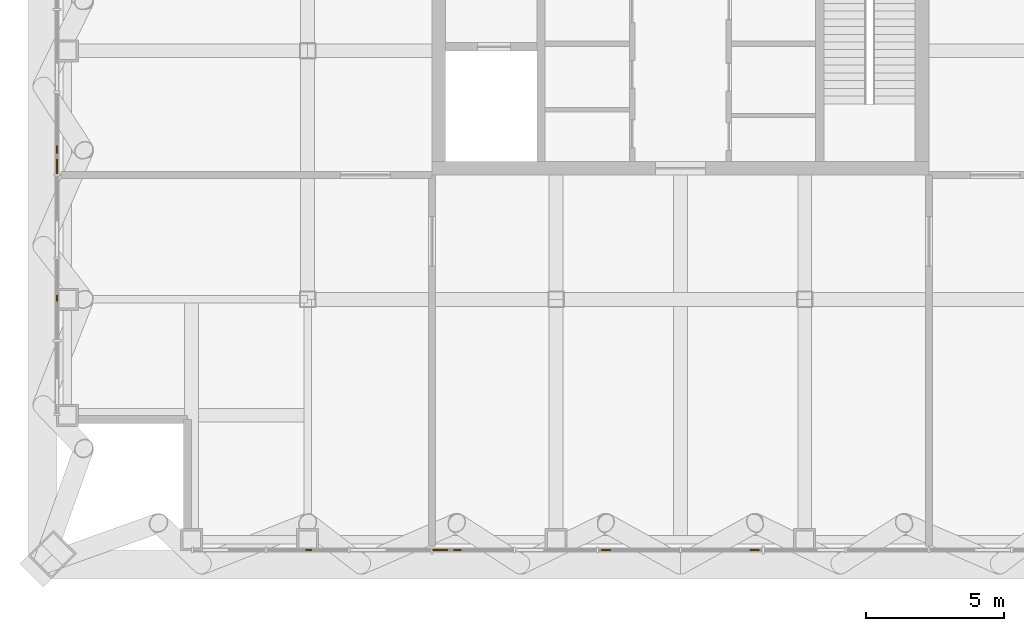
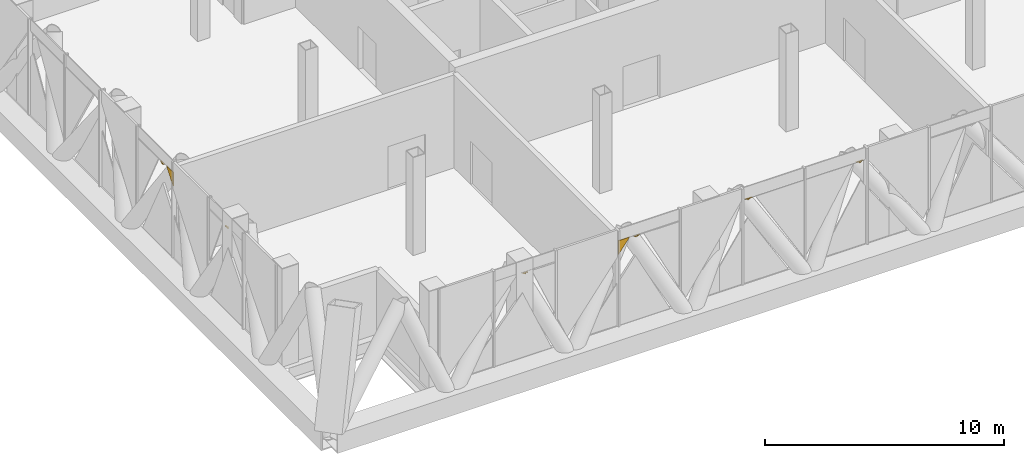
# One storey, part 20 of 27: 8 coverings.
"""IFC4 building model written with IfcOpenShell, lengths in metres."""

from ifc_helpers import new_model, si_unit, direction, frame, origin, place, context, subcontext, project, spatial, polyline, outline, extrude, material, layer, layer_set, type_object, element, save


model = new_model("IFC4")

# Units and contexts
model_context = context("Model", 3, precision=1e-05, world=origin(), true_north=direction((0.0, 1.0)))
body_context = subcontext(model_context, "Body", "Model", "MODEL_VIEW")
ifc_project = project(units=[si_unit("LENGTHUNIT", "METRE"), si_unit("AREAUNIT", "SQUARE_METRE"), si_unit("VOLUMEUNIT", "CUBIC_METRE"), si_unit("PLANEANGLEUNIT", "RADIAN"), si_unit("MASSUNIT", "GRAM", prefix="KILO")], contexts=[model_context])

# Site, building, storey
site_placement = place(None, origin())
site = spatial("IfcSite", under=ifc_project, at=site_placement, CompositionType="ELEMENT")
building_placement = place(site_placement, origin())
building = spatial("IfcBuilding", under=site, at=building_placement, Name="Malebo Sky Hospital", CompositionType="ELEMENT")
storey_placement = place(building_placement, frame((0.0, 0.0, 245.0)))
storey = spatial("IfcBuildingStorey", under=building, at=storey_placement, Name="L59", CompositionType="ELEMENT", Elevation=245.0)

# Coverings
ifc_material = material(Name="Anodised aluminium, natural silver insulated infill panel", Category="aluminium")
ifc_layer = layer(ifc_material, 0.0400390625)
ifc_layer_set = layer_set([ifc_layer], Name="BRACE INFILL PANEL 40")
covering_type = type_object("IfcCoveringType", Name="BRACE INFILL PANEL 40", PredefinedType="CLADDING", material=ifc_layer_set)
covering_1_placement = place(storey_placement, frame((37.425048828125, 48.5390625, 4.29150390625), z_axis=(0.0, 0.0, 1.0), x_axis=(0.0, 1.0, 0.0)))
element("IfcCovering", 1, at=covering_1_placement, inside=storey, type_object=covering_type, Name="Brace infill panel 2.4", PredefinedType="CLADDING", context=body_context, shape_type="SweptSolid", body=[
    extrude(outline(polyline([(-0.031005859375, 0.0), (0.114501953125, 0.052978515625), (-0.114501953125, 0.052978515625), (-0.031005859375, 0.0)])), frame((0.0, 0.02001953125, 0.0), z_axis=(0.0, -1.0, 0.0), x_axis=(1.0, 0.0, 0.0)), (0.0, 0.0, 1.0), 0.0400390625),
])
covering_2_placement = place(storey_placement, frame((37.425048828125, 53.307373046875, 3.68994140625), z_axis=(0.0, 0.0, 1.0), x_axis=(0.0, 1.0, 0.0)))
element("IfcCovering", 2, at=covering_2_placement, inside=storey, type_object=covering_type, Name="Brace infill panel 4.2", PredefinedType="CLADDING", context=body_context, shape_type="SweptSolid", body=[
    extrude(outline(polyline([(-0.27001953125, 0.0), (0.27001953125, 0.7119140625), (-0.27001953125, 0.7119140625), (-0.27001953125, 0.0)])), frame((0.0, 0.02001953125, 0.0), z_axis=(0.0, -1.0, 0.0), x_axis=(1.0, 0.0, 0.0)), (0.0, 0.0, 1.0), 0.0400390625),
])
covering_3_placement = place(storey_placement, frame((37.425048828125, 53.928466796875, 4.2919921875), z_axis=(0.0, 0.0, 1.0), x_axis=(0.0, 1.0, 0.0)))
element("IfcCovering", 3, at=covering_3_placement, inside=storey, type_object=covering_type, Name="Brace infill panel 4.4", PredefinedType="CLADDING", context=body_context, shape_type="SweptSolid", body=[
    extrude(outline(polyline([(-0.0234375, 0.0), (0.141845703125, 0.068115234375), (-0.141845703125, 0.068115234375), (-0.0234375, 0.0)])), frame((0.0, 0.02001953125, 0.0), z_axis=(0.0, -1.0, 0.0), x_axis=(1.0, 0.0, 0.0)), (0.0, 0.0, 1.0), 0.0400390625),
])
covering_4_placement = place(storey_placement, frame((62.688720703125, 39.425048828125, 4.29248046875), z_axis=(0.0, 0.0, 1.0), x_axis=(-1.0, 0.0, 0.0)))
element("IfcCovering", 4, at=covering_4_placement, inside=storey, type_object=covering_type, Name="Brace infill panel 6.3", PredefinedType="CLADDING", context=body_context, shape_type="SweptSolid", body=[
    extrude(outline(polyline([(-0.009521484375, 0.0), (0.168701171875, 0.082763671875), (-0.168701171875, 0.082763671875), (-0.009521484375, 0.0)])), frame((0.0, 0.02001953125, 0.0), z_axis=(0.0, -1.0, 0.0), x_axis=(1.0, 0.0, 0.0)), (0.0, 0.0, 1.0), 0.0400390625),
])
covering_5_placement = place(storey_placement, frame((57.311279296875, 39.425048828125, 4.29248046875), z_axis=(0.0, 0.0, 1.0), x_axis=(-1.0, 0.0, 0.0)))
element("IfcCovering", 5, at=covering_5_placement, inside=storey, type_object=covering_type, Name="Brace infill panel 7.3", PredefinedType="CLADDING", context=body_context, shape_type="SweptSolid", body=[
    extrude(outline(polyline([(0.009521484375, 0.0), (0.168701171875, 0.082763671875), (-0.168701171875, 0.082763671875), (0.009521484375, 0.0)])), frame((0.0, 0.02001953125, 0.0), z_axis=(0.0, -1.0, 0.0), x_axis=(1.0, 0.0, 0.0)), (0.0, 0.0, 1.0), 0.0400390625),
])
covering_6_placement = place(storey_placement, frame((51.307373046875, 39.425048828125, 3.68994140625), z_axis=(0.0, 0.0, 1.0), x_axis=(-1.0, 0.0, 0.0)))
element("IfcCovering", 6, at=covering_6_placement, inside=storey, type_object=covering_type, Name="Brace infill panel 9.2", PredefinedType="CLADDING", context=body_context, shape_type="SweptSolid", body=[
    extrude(outline(polyline([(0.27001953125, 0.0), (0.27001953125, 0.7119140625), (-0.27001953125, 0.7119140625), (0.27001953125, 0.0)])), frame((0.0, 0.02001953125, 0.0), z_axis=(0.0, -1.0, 0.0), x_axis=(1.0, 0.0, 0.0)), (0.0, 0.0, 1.0), 0.0400390625),
])
covering_7_placement = place(storey_placement, frame((51.928466796875, 39.425048828125, 4.2919921875), z_axis=(0.0, 0.0, 1.0), x_axis=(-1.0, 0.0, 0.0)))
element("IfcCovering", 7, at=covering_7_placement, inside=storey, type_object=covering_type, Name="Brace infill panel 9.4", PredefinedType="CLADDING", context=body_context, shape_type="SweptSolid", body=[
    extrude(outline(polyline([(0.0234375, 0.0), (0.141845703125, 0.068115234375), (-0.141845703125, 0.068115234375), (0.0234375, 0.0)])), frame((0.0, 0.02001953125, 0.0), z_axis=(0.0, -1.0, 0.0), x_axis=(1.0, 0.0, 0.0)), (0.0, 0.0, 1.0), 0.0400390625),
])
covering_8_placement = place(storey_placement, frame((46.5390625, 39.425048828125, 4.29150390625), z_axis=(0.0, 0.0, 1.0), x_axis=(-1.0, 0.0, 0.0)))
element("IfcCovering", 8, at=covering_8_placement, inside=storey, type_object=covering_type, Name="Brace infill panel 11.4", PredefinedType="CLADDING", context=body_context, shape_type="SweptSolid", body=[
    extrude(outline(polyline([(0.031005859375, 0.0), (0.114501953125, 0.052978515625), (-0.114501953125, 0.052978515625), (0.031005859375, 0.0)])), frame((0.0, 0.02001953125, 0.0), z_axis=(0.0, -1.0, 0.0), x_axis=(1.0, 0.0, 0.0)), (0.0, 0.0, 1.0), 0.0400390625),
])

save(model, "model.ifc")
